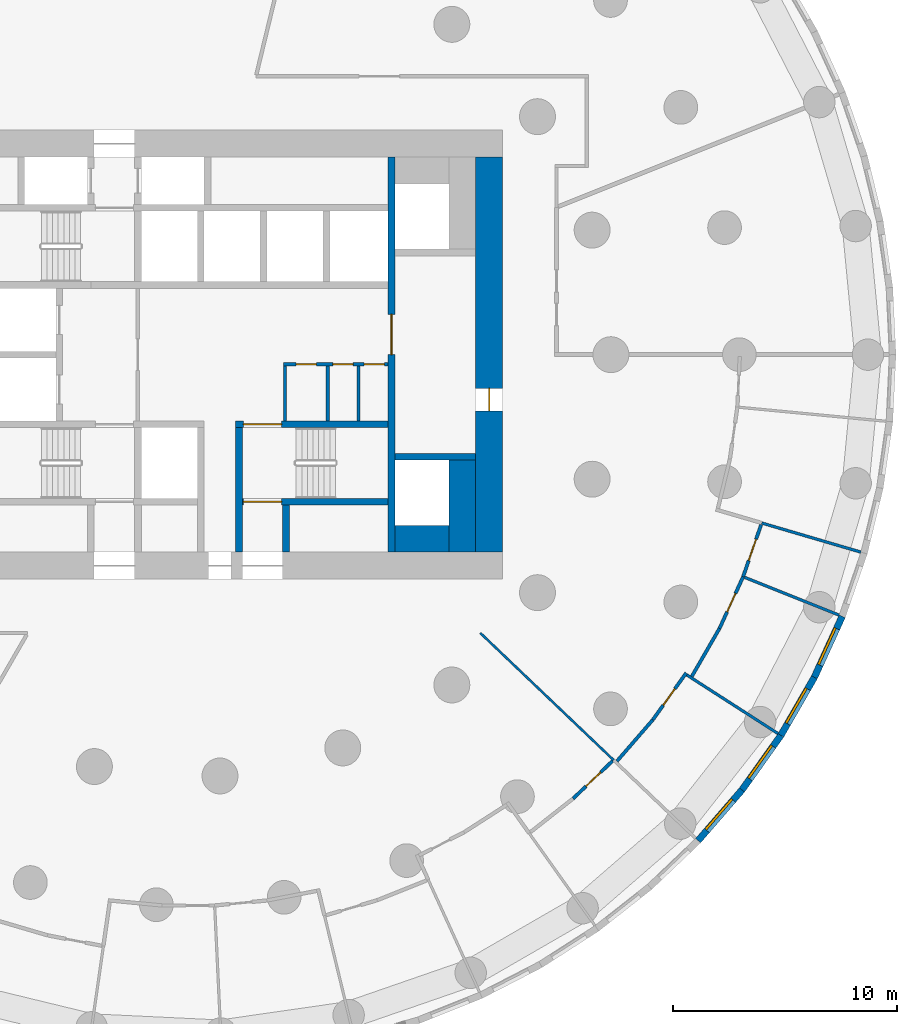
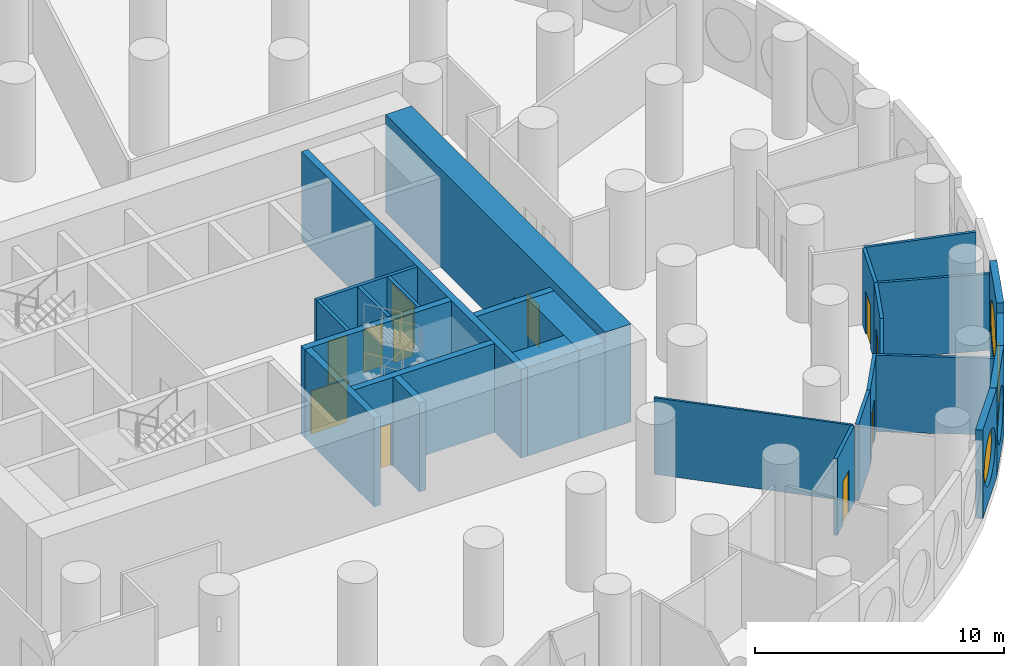
# One storey, part 5 of 11: 27 walls, 11 doors, 4 windows, 15 openings.
"""IFC4 building model written with IfcOpenShell, lengths in metres."""

from ifc_helpers import new_model, si_unit, direction, frame, frame_2d, origin, origin_2d, place, context, subcontext, project, spatial, rectangle, circle, extrude, material, layer, layer_set, type_object, element, fill, save


model = new_model("IFC4")

# Units and contexts
model_context = context("Model", 3, precision=1e-05, world=origin(), true_north=direction((0.0, 1.0)))
body_context = subcontext(model_context, "Body", "Model", "MODEL_VIEW")
ifc_project = project(units=[si_unit("LENGTHUNIT", "METRE"), si_unit("AREAUNIT", "SQUARE_METRE"), si_unit("VOLUMEUNIT", "CUBIC_METRE"), si_unit("PLANEANGLEUNIT", "RADIAN"), si_unit("MASSUNIT", "GRAM", prefix="KILO")], contexts=[model_context])

# Site, building, storey
site_placement = place(None, origin())
site = spatial("IfcSite", under=ifc_project, at=site_placement, CompositionType="ELEMENT")
building_placement = place(site_placement, origin())
building = spatial("IfcBuilding", under=site, at=building_placement, Name="Tracery Tower", CompositionType="ELEMENT")
storey_placement = place(building_placement, frame((0.0, 0.0, 23.39990234375)))
storey = spatial("IfcBuildingStorey", under=building, at=storey_placement, Name="L04", CompositionType="ELEMENT", Elevation=23.39990234375)

# Wall
ifc_material_1 = material(Name="Plasterboard on steel studs", Category="steel")
ifc_layer_1 = layer(ifc_material_1, 0.14990234375)
ifc_layer_set_1 = layer_set([ifc_layer_1], Name="Core room partition 150")
wall_type_1 = type_object("IfcWallType", Name="Core room partition 150", PredefinedType="SOLIDWALL", material=ifc_layer_set_1)
wall_1_placement = place(storey_placement, frame((4.300048828125, -2.949951171875, 0.0), z_axis=(0.0, 0.0, 1.0), x_axis=(0.0, 1.0, 0.0)))
element("IfcWall", 1, at=wall_1_placement, inside=storey, type_object=wall_type_1, Name="L04 slot W", PredefinedType="SOLIDWALL", context=body_context, shape_type="SweptSolid", body=[
    extrude(rectangle(XDim=2.449951171875, YDim=0.14990234375, at=frame_2d((1.22509765625, 0.0))), origin(), (0.0, 0.0, 1.0), 4.35009765625),
])

# Wall, openings, doors
wall_2_placement = place(storey_placement, frame((4.22509765625, -0.425048828125, 0.0), z_axis=(0.0, 0.0, 1.0), x_axis=(1.0, 0.0, 0.0)))
wall_2 = element("IfcWall", 2, at=wall_2_placement, inside=storey, type_object=wall_type_1, Name="L04 slot N", PredefinedType="SOLIDWALL", context=body_context, shape_type="SweptSolid", body=[
    extrude(rectangle(XDim=4.6748046875, YDim=0.14990234375, at=frame_2d((2.33740234375, 0.0))), origin(), (0.0, 0.0, 1.0), 4.35009765625),
])
opening_1_placement = place(wall_2_placement, frame((0.574951171875, 0.0, 0.0)))
opening_1 = element("IfcOpeningElement", 3, at=opening_1_placement, cuts=wall_2, Name="Opening KD22", PredefinedType="OPENING", context=body_context, shape_type="SweptSolid", body=[
    extrude(rectangle(XDim=0.89990234375, YDim=2.10009765625, at=frame_2d((0.449951171875, 1.050048828125))), frame((0.0, 0.074951171875, 0.0), z_axis=(0.0, -1.0, 0.0), x_axis=(1.0, 0.0, 0.0)), (0.0, 0.0, 1.0), 0.14990234375),
])
opening_2_placement = place(wall_2_placement, frame((2.21240234375, 0.0, 0.0)))
opening_2 = element("IfcOpeningElement", 4, at=opening_2_placement, cuts=wall_2, Name="Opening KD31", PredefinedType="OPENING", context=body_context, shape_type="SweptSolid", body=[
    extrude(rectangle(XDim=0.89990234375, YDim=2.10009765625, at=frame_2d((0.449951171875, 1.050048828125))), frame((0.0, 0.074951171875, 0.0), z_axis=(0.0, -1.0, 0.0), x_axis=(1.0, 0.0, 0.0)), (0.0, 0.0, 1.0), 0.14990234375),
])
opening_3_placement = place(wall_2_placement, frame((3.60009765625, 0.0, 0.0)))
opening_3 = element("IfcOpeningElement", 5, at=opening_3_placement, cuts=wall_2, Name="Opening KD27", PredefinedType="OPENING", context=body_context, shape_type="SweptSolid", body=[
    extrude(rectangle(XDim=0.89990234375, YDim=2.10009765625, at=frame_2d((0.449951171875, 1.050048828125))), frame((0.0, 0.074951171875, 0.0), z_axis=(0.0, -1.0, 0.0), x_axis=(1.0, 0.0, 0.0)), (0.0, 0.0, 1.0), 0.14990234375),
])
ifc_material_2 = material(Name="Timber door leaf", Category="wood")
door_type_1 = type_object("IfcDoorType", Name="Core WC door 900", OperationType="NOTDEFINED", PredefinedType="DOOR", material=ifc_material_2)
door_1_placement = place(opening_1_placement, origin())
door_1 = element("IfcDoor", 6, at=door_1_placement, inside=storey, type_object=door_type_1, Name="Core door", OperationType="SINGLE_SWING_RIGHT", OverallHeight=2.10009765625, OverallWidth=0.89990234375, PredefinedType="DOOR", context=body_context, shape_type="SweptSolid", body=[
    extrude(rectangle(XDim=0.89990234375, YDim=2.10009765625, at=frame_2d((0.449951171875, 1.050048828125))), frame((0.0, 0.02490234375, 0.0), z_axis=(0.0, -1.0, 0.0), x_axis=(1.0, 0.0, 0.0)), (0.0, 0.0, 1.0), 0.050048828125),
])
fill(opening_1, door_1)
ifc_material_3 = material(Name="Steel fire door", Category="steel")
door_type_2 = type_object("IfcDoorType", Name="Core riser door 900", OperationType="NOTDEFINED", PredefinedType="DOOR", material=ifc_material_3)
door_2_placement = place(opening_2_placement, origin())
door_2 = element("IfcDoor", 7, at=door_2_placement, inside=storey, type_object=door_type_2, Name="Core door", OperationType="SINGLE_SWING_LEFT", OverallHeight=2.10009765625, OverallWidth=0.89990234375, PredefinedType="DOOR", context=body_context, shape_type="SweptSolid", body=[
    extrude(rectangle(XDim=0.89990234375, YDim=2.10009765625, at=frame_2d((0.449951171875, 1.050048828125))), frame((0.0, 0.02490234375, 0.0), z_axis=(0.0, -1.0, 0.0), x_axis=(1.0, 0.0, 0.0)), (0.0, 0.0, 1.0), 0.050048828125),
])
fill(opening_2, door_2)
ifc_material_4 = material(Name="Timber door leaf", Category="wood")
door_type_3 = type_object("IfcDoorType", Name="Core store door 900", OperationType="NOTDEFINED", PredefinedType="DOOR", material=ifc_material_4)
door_3_placement = place(opening_3_placement, origin())
door_3 = element("IfcDoor", 8, at=door_3_placement, inside=storey, type_object=door_type_3, Name="Core door", OperationType="SINGLE_SWING_RIGHT", OverallHeight=2.10009765625, OverallWidth=0.89990234375, PredefinedType="DOOR", context=body_context, shape_type="SweptSolid", body=[
    extrude(rectangle(XDim=0.89990234375, YDim=2.10009765625, at=frame_2d((0.449951171875, 1.050048828125))), frame((0.0, 0.02490234375, 0.0), z_axis=(0.0, -1.0, 0.0), x_axis=(1.0, 0.0, 0.0)), (0.0, 0.0, 1.0), 0.050048828125),
])
fill(opening_3, door_3)

# Walls
for number, where, z_axis, x_axis, name in (
    (9, (6.199951171875, -2.949951171875, 0.0), (0.0, 0.0, 1.0), (0.0, 1.0, 0.0), "L04 slot sep 1"),
    (10, (7.574951171875, -2.949951171875, 0.0), (0.0, 0.0, 1.0), (0.0, 1.0, 0.0), "L04 slot sep 2"),
):
    element("IfcWall", number, at=place(storey_placement, frame(where, z_axis=z_axis, x_axis=x_axis)), inside=storey, type_object=wall_type_1, Name=name, PredefinedType="SOLIDWALL", context=body_context, shape_type="SweptSolid", body=[
        extrude(rectangle(XDim=2.449951171875, YDim=0.14990234375, at=frame_2d((1.22509765625, 0.0))), origin(), (0.0, 0.0, 1.0), 4.35009765625),
    ])
ifc_material_5 = material(Name="Concrete C60/75", Category="concrete")
ifc_layer_2 = layer(ifc_material_5, 1.199951171875)
ifc_layer_set_2 = layer_set([ifc_layer_2], Name="Core strip wall 1200 C60")
wall_type_2 = type_object("IfcWallType", Name="Core strip wall 1200 C60", PredefinedType="SOLIDWALL", material=ifc_layer_set_2)
wall_3_placement = place(storey_placement, frame((12.199951171875, -8.800048828125, 0.0), z_axis=(0.0, 0.0, 1.0), x_axis=(0.0, 1.0, 0.0)))
element("IfcWall", 11, at=wall_3_placement, inside=storey, type_object=wall_type_2, Name="L04 wing strip +1 -9.4", PredefinedType="SOLIDWALL", context=body_context, shape_type="SweptSolid", body=[
    extrude(rectangle(XDim=4.10009765625, YDim=1.199951171875, at=frame_2d((2.050048828125, 0.0))), origin(), (0.0, 0.0, 1.0), 4.35009765625),
])
wall_4_placement = place(storey_placement, frame((9.199951171875, -8.199951171875, 0.0), z_axis=(0.0, 0.0, 1.0), x_axis=(1.0, 0.0, 0.0)))
element("IfcWall", 12, at=wall_4_placement, inside=storey, type_object=wall_type_2, Name="L04 wing corner +1 -8.2", PredefinedType="SOLIDWALL", context=body_context, shape_type="SweptSolid", body=[
    extrude(rectangle(XDim=2.400146484375, YDim=1.199951171875, at=frame_2d((1.2001953125, 0.0))), origin(), (0.0, 0.0, 1.0), 4.35009765625),
])

# Wall, opening, door
ifc_material_6 = material(Name="Concrete C60/75", Category="concrete")
ifc_layer_3 = layer(ifc_material_6, 1.199951171875)
ifc_layer_set_3 = layer_set([ifc_layer_3], Name="Core wall 1200 C60")
wall_type_3 = type_object("IfcWallType", Name="Core wall 1200 C60", PredefinedType="SOLIDWALL", material=ifc_layer_set_3)
wall_5_placement = place(storey_placement, frame((13.39990234375, -8.800048828125, 0.0), z_axis=(0.0, 0.0, 1.0), x_axis=(0.0, 1.0, 0.0)))
wall_5 = element("IfcWall", 13, at=wall_5_placement, inside=storey, type_object=wall_type_3, Name="L04 outer E", PredefinedType="SOLIDWALL", context=body_context, shape_type="SweptSolid", body=[
    extrude(rectangle(XDim=17.60009765625, YDim=1.199951171875, at=frame_2d((8.800048828125, 0.0))), origin(), (0.0, 0.0, 1.0), 4.800048828125),
])
opening_4_placement = place(wall_5_placement, frame((6.300048828125, 0.0, 0.0)))
opening_4 = element("IfcOpeningElement", 14, at=opening_4_placement, cuts=wall_5, Name="Opening KD18", PredefinedType="OPENING", context=body_context, shape_type="SweptSolid", body=[
    extrude(rectangle(XDim=1.0, YDim=2.10009765625, at=frame_2d((0.5, 1.050048828125))), frame((0.0, 0.60009765625, 0.0), z_axis=(0.0, -1.0, 0.0), x_axis=(1.0, 0.0, 0.0)), (0.0, 0.0, 1.0), 1.199951171875),
])
ifc_material_7 = material(Name="Steel fire door", Category="steel")
door_type_4 = type_object("IfcDoorType", Name="Core exit door 1000", OperationType="NOTDEFINED", PredefinedType="DOOR", material=ifc_material_7)
door_4_placement = place(opening_4_placement, origin())
door_4 = element("IfcDoor", 15, at=door_4_placement, inside=storey, type_object=door_type_4, Name="Core exit door", OperationType="DOUBLE_DOOR_SINGLE_SWING", OverallHeight=2.10009765625, OverallWidth=1.0, PredefinedType="DOOR", context=body_context, shape_type="SweptSolid", body=[
    extrude(rectangle(XDim=1.0, YDim=2.10009765625, at=frame_2d((0.5, 1.050048828125))), frame((0.0, 0.02490234375, 0.0), z_axis=(0.0, -1.0, 0.0), x_axis=(1.0, 0.0, 0.0)), (0.0, 0.0, 1.0), 0.050048828125),
])
fill(opening_4, door_4)

ifc_material_8 = material(Name="Plasterboard on steel studs", Category="steel")
ifc_layer_4 = layer(ifc_material_8, 0.14990234375)
ifc_layer_set_4 = layer_set([ifc_layer_4], Name="Corridor partition 150")
wall_type_4 = type_object("IfcWallType", Name="Corridor partition 150", PredefinedType="PARTITIONING", material=ifc_layer_set_4)
wall_6_placement = place(storey_placement, frame((18.893798828125, -18.1015625, 0.0), z_axis=(0.0, 0.0, 1.0), x_axis=(-0.723750392948, -0.690061858609, 0.0)))
wall_6 = element("IfcWall", 16, at=wall_6_placement, inside=storey, type_object=wall_type_4, Name="Corridor partition 150", PredefinedType="PARTITIONING", context=body_context, shape_type="SweptSolid", body=[
    extrude(rectangle(XDim=2.427734375, YDim=0.14990234375, at=frame_2d((1.2138671875, 0.0))), origin(), (0.0, 0.0, 1.0), 3.75),
])
opening_5_placement = place(wall_6_placement, frame((0.732666015625, 0.0, 0.0)))
opening_5 = element("IfcOpeningElement", 17, at=opening_5_placement, cuts=wall_6, Name="Opening SB-L04-21", PredefinedType="OPENING", context=body_context, shape_type="SweptSolid", body=[
    extrude(rectangle(XDim=0.89990234375, YDim=2.10009765625, at=frame_2d((0.449951171875, 1.050048828125))), frame((0.0, 0.074951171875, 0.0), z_axis=(0.0, -1.0, 0.0), x_axis=(1.0, 0.0, 0.0)), (0.0, 0.0, 1.0), 0.14990234375),
])
ifc_material_9 = material(Name="Timber door leaf", Category="wood")
door_type_5 = type_object("IfcDoorType", Name="Room door 900", OperationType="NOTDEFINED", PredefinedType="DOOR", material=ifc_material_9)
door_5_placement = place(opening_5_placement, origin())
door_5 = element("IfcDoor", 18, at=door_5_placement, inside=storey, type_object=door_type_5, Name="Room door 900", OperationType="SINGLE_SWING_RIGHT", OverallHeight=2.10009765625, OverallWidth=0.89990234375, PredefinedType="DOOR", context=body_context, shape_type="SweptSolid", body=[
    extrude(rectangle(XDim=0.89990234375, YDim=2.10009765625, at=frame_2d((0.449951171875, 1.050048828125))), frame((0.0, 0.02490234375, 0.0), z_axis=(0.0, -1.0, 0.0), x_axis=(1.0, 0.0, 0.0)), (0.0, 0.0, 1.0), 0.050048828125),
])
fill(opening_5, door_5)

# Wall
wall_7_placement = place(storey_placement, frame((19.08984375, -18.11328125, 0.0), z_axis=(0.0, 0.0, 1.0), x_axis=(0.654884832062, 0.755728692545, 0.0)))
element("IfcWall", 19, at=wall_7_placement, inside=storey, type_object=wall_type_4, Name="Corridor partition 150", PredefinedType="PARTITIONING", context=body_context, shape_type="SweptSolid", body=[
    extrude(rectangle(XDim=2.4404296875, YDim=0.14990234375, at=frame_2d((1.22021484375, 0.0))), origin(), (0.0, 0.0, 1.0), 3.75),
])

# Wall, opening, door
wall_8_placement = place(storey_placement, frame((22.177001953125, -14.177978515625, 0.0), z_axis=(0.0, 0.0, 1.0), x_axis=(-0.580050037968, -0.814580845253, 0.0)))
wall_8 = element("IfcWall", 20, at=wall_8_placement, inside=storey, type_object=wall_type_4, Name="Corridor partition 150", PredefinedType="PARTITIONING", context=body_context, shape_type="SweptSolid", body=[
    extrude(rectangle(XDim=2.567138671875, YDim=0.14990234375, at=frame_2d((1.28369140625, 0.0))), origin(), (0.0, 0.0, 1.0), 3.75),
])
opening_6_placement = place(wall_8_placement, frame((0.86474609375, 0.0, 0.0)))
opening_6 = element("IfcOpeningElement", 21, at=opening_6_placement, cuts=wall_8, Name="Opening SB-L04-22", PredefinedType="OPENING", context=body_context, shape_type="SweptSolid", body=[
    extrude(rectangle(XDim=0.89990234375, YDim=2.10009765625, at=frame_2d((0.449951171875, 1.050048828125))), frame((0.0, 0.074951171875, 0.0), z_axis=(0.0, -1.0, 0.0), x_axis=(1.0, 0.0, 0.0)), (0.0, 0.0, 1.0), 0.14990234375),
])
ifc_material_10 = material(Name="Timber door leaf", Category="wood")
door_type_6 = type_object("IfcDoorType", Name="Toilet door 900", OperationType="NOTDEFINED", PredefinedType="DOOR", material=ifc_material_10)
door_6_placement = place(opening_6_placement, origin())
door_6 = element("IfcDoor", 22, at=door_6_placement, inside=storey, type_object=door_type_6, Name="Toilet door 900", OperationType="SINGLE_SWING_RIGHT", OverallHeight=2.10009765625, OverallWidth=0.89990234375, PredefinedType="DOOR", context=body_context, shape_type="SweptSolid", body=[
    extrude(rectangle(XDim=0.89990234375, YDim=2.10009765625, at=frame_2d((0.449951171875, 1.050048828125))), frame((0.0, 0.02490234375, 0.0), z_axis=(0.0, -1.0, 0.0), x_axis=(1.0, 0.0, 0.0)), (0.0, 0.0, 1.0), 0.050048828125),
])
fill(opening_6, door_6)

# Wall
wall_9_placement = place(storey_placement, frame((22.425537109375, -14.335693359375, 0.0), z_axis=(0.0, 0.0, 1.0), x_axis=(0.499967837645, 0.866043971933, 0.0)))
element("IfcWall", 23, at=wall_9_placement, inside=storey, type_object=wall_type_4, Name="Corridor partition 150", PredefinedType="PARTITIONING", context=body_context, shape_type="SweptSolid", body=[
    extrude(rectangle(XDim=2.468994140625, YDim=0.14990234375, at=frame_2d((1.234375, 0.0))), origin(), (0.0, 0.0, 1.0), 3.75),
])

# Wall, opening, door
wall_10_placement = place(storey_placement, frame((24.71240234375, -9.893310546875, 0.0), z_axis=(0.0, 0.0, 1.0), x_axis=(-0.415479591096, -0.909602500757, 0.0)))
wall_10 = element("IfcWall", 24, at=wall_10_placement, inside=storey, type_object=wall_type_4, Name="Corridor partition 150", PredefinedType="PARTITIONING", context=body_context, shape_type="SweptSolid", body=[
    extrude(rectangle(XDim=2.533203125, YDim=0.14990234375, at=frame_2d((1.2666015625, 0.0))), origin(), (0.0, 0.0, 1.0), 3.75),
])
opening_7_placement = place(wall_10_placement, frame((0.816650390625, 0.0, 0.0)))
opening_7 = element("IfcOpeningElement", 25, at=opening_7_placement, cuts=wall_10, Name="Opening SB-L04-23", PredefinedType="OPENING", context=body_context, shape_type="SweptSolid", body=[
    extrude(rectangle(XDim=0.89990234375, YDim=2.10009765625, at=frame_2d((0.449951171875, 1.050048828125))), frame((0.0, 0.074951171875, 0.0), z_axis=(0.0, -1.0, 0.0), x_axis=(1.0, 0.0, 0.0)), (0.0, 0.0, 1.0), 0.14990234375),
])
door_7_placement = place(opening_7_placement, origin())
door_7 = element("IfcDoor", 26, at=door_7_placement, inside=storey, type_object=door_type_6, Name="Toilet door 900", OperationType="SINGLE_SWING_RIGHT", OverallHeight=2.10009765625, OverallWidth=0.89990234375, PredefinedType="DOOR", context=body_context, shape_type="SweptSolid", body=[
    extrude(rectangle(XDim=0.89990234375, YDim=2.10009765625, at=frame_2d((0.449951171875, 1.050048828125))), frame((0.0, 0.02490234375, 0.0), z_axis=(0.0, -1.0, 0.0), x_axis=(1.0, 0.0, 0.0)), (0.0, 0.0, 1.0), 0.050048828125),
])
fill(opening_7, door_7)

wall_11_placement = place(storey_placement, frame((25.51611328125, -7.570556640625, 0.0), z_axis=(0.0, 0.0, 1.0), x_axis=(-0.326994566999, -0.945026218236, 0.0)))
wall_11 = element("IfcWall", 27, at=wall_11_placement, inside=storey, type_object=wall_type_4, Name="Corridor partition 150", PredefinedType="PARTITIONING", context=body_context, shape_type="SweptSolid", body=[
    extrude(rectangle(XDim=2.457763671875, YDim=0.14990234375, at=frame_2d((1.22900390625, 0.0))), origin(), (0.0, 0.0, 1.0), 3.75),
])
opening_8_placement = place(wall_11_placement, frame((0.69140625, 0.0, 0.0)))
opening_8 = element("IfcOpeningElement", 28, at=opening_8_placement, cuts=wall_11, Name="Opening SB-L04-24", PredefinedType="OPENING", context=body_context, shape_type="SweptSolid", body=[
    extrude(rectangle(XDim=1.0, YDim=2.10009765625, at=frame_2d((0.5, 1.050048828125))), frame((0.0, 0.074951171875, 0.0), z_axis=(0.0, -1.0, 0.0), x_axis=(1.0, 0.0, 0.0)), (0.0, 0.0, 1.0), 0.14990234375),
])
ifc_material_11 = material(Name="Timber door leaf", Category="wood")
door_type_7 = type_object("IfcDoorType", Name="Accessible toilet door 1000", OperationType="NOTDEFINED", PredefinedType="DOOR", material=ifc_material_11)
door_8_placement = place(opening_8_placement, origin())
door_8 = element("IfcDoor", 29, at=door_8_placement, inside=storey, type_object=door_type_7, Name="Accessible toilet door 1000", OperationType="SINGLE_SWING_RIGHT", OverallHeight=2.10009765625, OverallWidth=1.0, PredefinedType="DOOR", context=body_context, shape_type="SweptSolid", body=[
    extrude(rectangle(XDim=1.0, YDim=2.10009765625, at=frame_2d((0.5, 1.050048828125))), frame((0.0, 0.02490234375, 0.0), z_axis=(0.0, -1.0, 0.0), x_axis=(1.0, 0.0, 0.0)), (0.0, 0.0, 1.0), 0.050048828125),
])
fill(opening_8, door_8)

# Wall, opening, window
ifc_material_12 = material(Name="Precast concrete C50/60", Category="concrete")
ifc_layer_5 = layer(ifc_material_12, 0.300048828125)
ifc_layer_set_5 = layer_set([ifc_layer_5], Name="Facade panel 3000 x 3850")
wall_type_5 = type_object("IfcWallType", Name="Facade panel 3000 x 3850", PredefinedType="SOLIDWALL", material=ifc_layer_set_5)
wall_12_placement = place(storey_placement, frame((26.393798828125, -16.96240234375, 0.0), z_axis=(0.0, 0.0, 1.0), x_axis=(0.500017373705, 0.866015372839, 0.0)))
wall_12 = element("IfcWall", 30, at=wall_12_placement, inside=storey, type_object=wall_type_5, Name="Facade panel 61 at L04", PredefinedType="SOLIDWALL", context=body_context, shape_type="SweptSolid", body=[
    extrude(rectangle(XDim=2.98583984375, YDim=0.300048828125, at=frame_2d((1.492919921875, 0.0))), origin(), (0.0, 0.0, 1.0), 3.85009765625),
])
opening_9_placement = place(wall_12_placement, frame((1.492919921875, 0.0, 2.0)))
opening_9 = element("IfcOpeningElement", 31, at=opening_9_placement, cuts=wall_12, Name="Opening WN2", PredefinedType="OPENING", context=body_context, shape_type="SweptSolid", body=[
    extrude(circle(Radius=1.199951171875, at=origin_2d()), frame((0.0, 0.159912109375, 0.0), z_axis=(0.0, -1.0, 0.0), x_axis=(1.0, 0.0, 0.0)), (0.0, 0.0, 1.0), 0.320068359375),
])
ifc_material_13 = material(Name="Aluminium frame with tinted double glazing", Category="aluminium")
window_type = type_object("IfcWindowType", Name="Round window 2400", PartitioningType="SINGLE_PANEL", PredefinedType="WINDOW", material=ifc_material_13)
window_1_placement = place(opening_9_placement, origin())
window_1 = element("IfcWindow", 32, at=window_1_placement, inside=storey, type_object=window_type, Name="Round window 61 at L04", OverallHeight=2.39990234375, OverallWidth=2.39990234375, PartitioningType="SINGLE_PANEL", PredefinedType="WINDOW", context=body_context, shape_type="SweptSolid", body=[
    extrude(circle(Radius=1.199951171875, at=origin_2d()), frame((0.0, 0.1201171875, 0.0), z_axis=(0.0, -1.0, 0.0), x_axis=(1.0, 0.0, 0.0)), (0.0, 0.0, 1.0), 0.10009765625),
])
fill(opening_9, window_1)

ifc_material_14 = material(Name="Precast concrete C50/60", Category="concrete")
ifc_layer_6 = layer(ifc_material_14, 0.300048828125)
ifc_layer_set_6 = layer_set([ifc_layer_6], Name="Facade panel 3000 x 4350")
wall_type_6 = type_object("IfcWallType", Name="Facade panel 3000 x 4350", PredefinedType="SOLIDWALL", material=ifc_layer_set_6)
wall_13_placement = place(storey_placement, frame((22.706787109375, -21.65087890625, 0.0), z_axis=(0.0, 0.0, 1.0), x_axis=(0.654809121128, 0.755794294029, 0.0)))
wall_13 = element("IfcWall", 33, at=wall_13_placement, inside=storey, type_object=wall_type_6, Name="Facade panel 59 at L04", PredefinedType="SOLIDWALL", context=body_context, shape_type="SweptSolid", body=[
    extrude(rectangle(XDim=2.98583984375, YDim=0.300048828125, at=frame_2d((1.492919921875, 0.0))), origin(), (0.0, 0.0, 1.0), 4.35009765625),
])
opening_10_placement = place(wall_13_placement, frame((1.492919921875, 0.0, 2.0)))
opening_10 = element("IfcOpeningElement", 34, at=opening_10_placement, cuts=wall_13, Name="Opening WN2", PredefinedType="OPENING", context=body_context, shape_type="SweptSolid", body=[
    extrude(circle(Radius=1.199951171875, at=origin_2d()), frame((0.0, 0.159912109375, 0.0), z_axis=(0.0, -1.0, 0.0), x_axis=(1.0, 0.0, 0.0)), (0.0, 0.0, 1.0), 0.320068359375),
])
window_2_placement = place(opening_10_placement, origin())
window_2 = element("IfcWindow", 35, at=window_2_placement, inside=storey, type_object=window_type, Name="Round window 59 at L04", OverallHeight=2.39990234375, OverallWidth=2.39990234375, PartitioningType="SINGLE_PANEL", PredefinedType="WINDOW", context=body_context, shape_type="SweptSolid", body=[
    extrude(circle(Radius=1.199951171875, at=origin_2d()), frame((0.0, 0.1201171875, 0.0), z_axis=(0.0, -1.0, 0.0), x_axis=(1.0, 0.0, 0.0)), (0.0, 0.0, 1.0), 0.10009765625),
])
fill(opening_10, window_2)

wall_14_placement = place(storey_placement, frame((24.661865234375, -19.394287109375, 0.0), z_axis=(0.0, 0.0, 1.0), x_axis=(0.580100533892, 0.814544885551, 0.0)))
wall_14 = element("IfcWall", 36, at=wall_14_placement, inside=storey, type_object=wall_type_6, Name="Facade panel 60 at L04", PredefinedType="SOLIDWALL", context=body_context, shape_type="SweptSolid", body=[
    extrude(rectangle(XDim=2.985595703125, YDim=0.300048828125, at=frame_2d((1.49267578125, 0.0))), origin(), (0.0, 0.0, 1.0), 4.35009765625),
])
opening_11_placement = place(wall_14_placement, frame((1.492919921875, 0.0, 2.0)))
opening_11 = element("IfcOpeningElement", 37, at=opening_11_placement, cuts=wall_14, Name="Opening WN2", PredefinedType="OPENING", context=body_context, shape_type="SweptSolid", body=[
    extrude(circle(Radius=1.199951171875, at=origin_2d()), frame((0.0, 0.159912109375, 0.0), z_axis=(0.0, -1.0, 0.0), x_axis=(1.0, 0.0, 0.0)), (0.0, 0.0, 1.0), 0.320068359375),
])
window_3_placement = place(opening_11_placement, origin())
window_3 = element("IfcWindow", 38, at=window_3_placement, inside=storey, type_object=window_type, Name="Round window 60 at L04", OverallHeight=2.39990234375, OverallWidth=2.39990234375, PartitioningType="SINGLE_PANEL", PredefinedType="WINDOW", context=body_context, shape_type="SweptSolid", body=[
    extrude(circle(Radius=1.199951171875, at=origin_2d()), frame((0.0, 0.1201171875, 0.0), z_axis=(0.0, -1.0, 0.0), x_axis=(1.0, 0.0, 0.0)), (0.0, 0.0, 1.0), 0.10009765625),
])
fill(opening_11, window_3)

wall_15_placement = place(storey_placement, frame((27.88671875, -14.376708984375, 0.0), z_axis=(0.0, 0.0, 1.0), x_axis=(0.415373250944, 0.909651066289, 0.0)))
wall_15 = element("IfcWall", 39, at=wall_15_placement, inside=storey, type_object=wall_type_6, Name="Facade panel 62 at L04", PredefinedType="SOLIDWALL", context=body_context, shape_type="SweptSolid", body=[
    extrude(rectangle(XDim=2.98583984375, YDim=0.300048828125, at=frame_2d((1.492919921875, 0.0))), origin(), (0.0, 0.0, 1.0), 4.35009765625),
])
opening_12_placement = place(wall_15_placement, frame((1.492919921875, 0.0, 2.0)))
opening_12 = element("IfcOpeningElement", 40, at=opening_12_placement, cuts=wall_15, Name="Opening WN2", PredefinedType="OPENING", context=body_context, shape_type="SweptSolid", body=[
    extrude(circle(Radius=1.199951171875, at=origin_2d()), frame((0.0, 0.159912109375, 0.0), z_axis=(0.0, -1.0, 0.0), x_axis=(1.0, 0.0, 0.0)), (0.0, 0.0, 1.0), 0.320068359375),
])
window_4_placement = place(opening_12_placement, origin())
window_4 = element("IfcWindow", 41, at=window_4_placement, inside=storey, type_object=window_type, Name="Round window 62 at L04", OverallHeight=2.39990234375, OverallWidth=2.39990234375, PartitioningType="SINGLE_PANEL", PredefinedType="WINDOW", context=body_context, shape_type="SweptSolid", body=[
    extrude(circle(Radius=1.199951171875, at=origin_2d()), frame((0.0, 0.1201171875, 0.0), z_axis=(0.0, -1.0, 0.0), x_axis=(1.0, 0.0, 0.0)), (0.0, 0.0, 1.0), 0.10009765625),
])
fill(opening_12, window_4)

# Walls
ifc_material_15 = material(Name="Concrete C60/75", Category="concrete")
ifc_layer_7 = layer(ifc_material_15, 0.300048828125)
ifc_layer_set_7 = layer_set([ifc_layer_7], Name="Shaft wall 300 C60")
wall_type_7 = type_object("IfcWallType", Name="Shaft wall 300 C60", PredefinedType="SOLIDWALL", material=ifc_layer_set_7)
wall_16_placement = place(storey_placement, frame((4.35009765625, -8.800048828125, 0.0), z_axis=(0.0, 0.0, 1.0), x_axis=(0.0, 1.0, 0.0)))
element("IfcWall", 42, at=wall_16_placement, inside=storey, type_object=wall_type_7, Name="L04 band S +4.35", PredefinedType="SOLIDWALL", context=body_context, shape_type="SweptSolid", body=[
    extrude(rectangle(XDim=2.10009765625, YDim=0.300048828125, at=frame_2d((1.050048828125, 0.0))), origin(), (0.0, 0.0, 1.0), 4.35009765625),
])
wall_17_placement = place(storey_placement, frame((9.199951171875, -4.550048828125, 0.0), z_axis=(0.0, 0.0, 1.0), x_axis=(1.0, 0.0, 0.0)))
element("IfcWall", 43, at=wall_17_placement, inside=storey, type_object=wall_type_7, Name="L04 wing shaft wall +1 -4.55", PredefinedType="SOLIDWALL", context=body_context, shape_type="SweptSolid", body=[
    extrude(rectangle(XDim=3.60009765625, YDim=0.300048828125, at=frame_2d((1.800048828125, 0.0))), origin(), (0.0, 0.0, 1.0), 4.35009765625),
])

# Wall, opening, door
ifc_material_16 = material(Name="Concrete C60/75", Category="concrete")
ifc_layer_8 = layer(ifc_material_16, 0.300048828125)
ifc_layer_set_8 = layer_set([ifc_layer_8], Name="Stair wall 300 C60")
wall_type_8 = type_object("IfcWallType", Name="Stair wall 300 C60", PredefinedType="SOLIDWALL", material=ifc_layer_set_8)
wall_18_placement = place(storey_placement, frame((2.10009765625, -3.10009765625, 0.0), z_axis=(0.0, 0.0, 1.0), x_axis=(1.0, 0.0, 0.0)))
wall_18 = element("IfcWall", 44, at=wall_18_placement, inside=storey, type_object=wall_type_8, Name="L04 row S E", PredefinedType="SOLIDWALL", context=body_context, shape_type="SweptSolid", body=[
    extrude(rectangle(XDim=6.7998046875, YDim=0.300048828125, at=frame_2d((3.39990234375, 0.0))), origin(), (0.0, 0.0, 1.0), 4.35009765625),
])
opening_13_placement = place(wall_18_placement, frame((0.35009765625, 0.0, 0.0)))
opening_13 = element("IfcOpeningElement", 45, at=opening_13_placement, cuts=wall_18, Name="Opening KD3", PredefinedType="OPENING", context=body_context, shape_type="SweptSolid", body=[
    extrude(rectangle(XDim=1.699951171875, YDim=2.10009765625, at=frame_2d((0.85009765625, 1.050048828125))), frame((0.0, 0.14990234375, 0.0), z_axis=(0.0, -1.0, 0.0), x_axis=(1.0, 0.0, 0.0)), (0.0, 0.0, 1.0), 0.300048828125),
])
ifc_material_17 = material(Name="Steel fire door", Category="steel")
door_type_8 = type_object("IfcDoorType", Name="Core stair door 1700 double", OperationType="NOTDEFINED", PredefinedType="DOOR", material=ifc_material_17)
door_9_placement = place(opening_13_placement, origin())
door_9 = element("IfcDoor", 46, at=door_9_placement, inside=storey, type_object=door_type_8, Name="Stair door ST2", OperationType="DOUBLE_DOOR_SINGLE_SWING", OverallHeight=2.10009765625, OverallWidth=1.699951171875, PredefinedType="DOOR", context=body_context, shape_type="SweptSolid", body=[
    extrude(rectangle(XDim=1.699951171875, YDim=2.10009765625, at=frame_2d((0.85009765625, 1.050048828125))), frame((0.0, 0.02490234375, 0.0), z_axis=(0.0, -1.0, 0.0), x_axis=(1.0, 0.0, 0.0)), (0.0, 0.0, 1.0), 0.050048828125),
])
fill(opening_13, door_9)

# Wall
wall_19_placement = place(storey_placement, frame((2.25, -8.800048828125, 0.0), z_axis=(0.0, 0.0, 1.0), x_axis=(0.0, 1.0, 0.0)))
element("IfcWall", 47, at=wall_19_placement, inside=storey, type_object=wall_type_8, Name="L04 ST2 W", PredefinedType="SOLIDWALL", context=body_context, shape_type="SweptSolid", body=[
    extrude(rectangle(XDim=5.550048828125, YDim=0.300048828125, at=frame_2d((2.77490234375, 0.0))), origin(), (0.0, 0.0, 1.0), 4.35009765625),
])

# Wall, opening, door
wall_20_placement = place(storey_placement, frame((9.050048828125, -8.800048828125, 0.0), z_axis=(0.0, 0.0, 1.0), x_axis=(0.0, 1.0, 0.0)))
wall_20 = element("IfcWall", 48, at=wall_20_placement, inside=storey, type_object=wall_type_8, Name="L04 F wall +9", PredefinedType="SOLIDWALL", context=body_context, shape_type="SweptSolid", body=[
    extrude(rectangle(XDim=17.60009765625, YDim=0.300048828125, at=frame_2d((8.800048828125, 0.0))), origin(), (0.0, 0.0, 1.0), 4.35009765625),
])
opening_14_placement = place(wall_20_placement, frame((8.800048828125, 0.0, 0.0)))
opening_14 = element("IfcOpeningElement", 49, at=opening_14_placement, cuts=wall_20, Name="Opening KD13", PredefinedType="OPENING", context=body_context, shape_type="SweptSolid", body=[
    extrude(rectangle(XDim=1.800048828125, YDim=2.10009765625, at=frame_2d((0.89990234375, 1.050048828125))), frame((0.0, 0.14990234375, 0.0), z_axis=(0.0, -1.0, 0.0), x_axis=(1.0, 0.0, 0.0)), (0.0, 0.0, 1.0), 0.300048828125),
])
ifc_material_18 = material(Name="Steel fire door", Category="steel")
door_type_9 = type_object("IfcDoorType", Name="Core exit door 1800 double", OperationType="NOTDEFINED", PredefinedType="DOOR", material=ifc_material_18)
door_10_placement = place(opening_14_placement, origin())
door_10 = element("IfcDoor", 50, at=door_10_placement, inside=storey, type_object=door_type_9, Name="Core exit door", OperationType="DOUBLE_DOOR_SINGLE_SWING", OverallHeight=2.10009765625, OverallWidth=1.800048828125, PredefinedType="DOOR", context=body_context, shape_type="SweptSolid", body=[
    extrude(rectangle(XDim=1.800048828125, YDim=2.10009765625, at=frame_2d((0.89990234375, 1.050048828125))), frame((0.0, 0.02490234375, 0.0), z_axis=(0.0, -1.0, 0.0), x_axis=(1.0, 0.0, 0.0)), (0.0, 0.0, 1.0), 0.050048828125),
])
fill(opening_14, door_10)

wall_21_placement = place(storey_placement, frame((2.39990234375, -6.550048828125, 0.0), z_axis=(0.0, 0.0, 1.0), x_axis=(1.0, 0.0, 0.0)))
wall_21 = element("IfcWall", 51, at=wall_21_placement, inside=storey, type_object=wall_type_8, Name="L04 F S E", PredefinedType="SOLIDWALL", context=body_context, shape_type="SweptSolid", body=[
    extrude(rectangle(XDim=6.5, YDim=0.300048828125, at=frame_2d((3.25, 0.0))), origin(), (0.0, 0.0, 1.0), 4.35009765625),
])
opening_15_placement = place(wall_21_placement, frame((0.050048828125, 0.0, 0.0)))
opening_15 = element("IfcOpeningElement", 52, at=opening_15_placement, cuts=wall_21, Name="Opening KD3", PredefinedType="OPENING", context=body_context, shape_type="SweptSolid", body=[
    extrude(rectangle(XDim=1.699951171875, YDim=2.10009765625, at=frame_2d((0.85009765625, 1.050048828125))), frame((0.0, 0.14990234375, 0.0), z_axis=(0.0, -1.0, 0.0), x_axis=(1.0, 0.0, 0.0)), (0.0, 0.0, 1.0), 0.300048828125),
])
door_11_placement = place(opening_15_placement, origin())
door_11 = element("IfcDoor", 53, at=door_11_placement, inside=storey, type_object=door_type_8, Name="Stair door ST2 S", OperationType="DOUBLE_DOOR_SINGLE_SWING", OverallHeight=2.10009765625, OverallWidth=1.699951171875, PredefinedType="DOOR", context=body_context, shape_type="SweptSolid", body=[
    extrude(rectangle(XDim=1.699951171875, YDim=2.10009765625, at=frame_2d((0.85009765625, 1.050048828125))), frame((0.0, 0.02490234375, 0.0), z_axis=(0.0, -1.0, 0.0), x_axis=(1.0, 0.0, 0.0)), (0.0, 0.0, 1.0), 0.050048828125),
])
fill(opening_15, door_11)

# Walls
ifc_material_19 = material(Name="Plasterboard on steel studs", Category="steel")
ifc_layer_9 = layer(ifc_material_19, 0.10009765625)
ifc_layer_set_9 = layer_set([ifc_layer_9], Name="Stud partition 100")
wall_type_9 = type_object("IfcWallType", Name="Stud partition 100", PredefinedType="PARTITIONING", material=ifc_layer_set_9)
wall_22_placement = place(storey_placement, frame((18.939208984375, -18.058349609375, 0.0), z_axis=(0.0, 0.0, 1.0), x_axis=(-0.723743423805, 0.690069167909, 0.0)))
element("IfcWall", 54, at=wall_22_placement, inside=storey, type_object=wall_type_9, Name="Stud partition 100", PredefinedType="PARTITIONING", context=body_context, shape_type="SweptSolid", body=[
    extrude(rectangle(XDim=8.19970703125, YDim=0.10009765625, at=frame_2d((4.099853515625, 0.0))), origin(), (0.0, 0.0, 1.0), 3.75),
])
ifc_material_20 = material(Name="Plasterboard on steel studs", Category="steel")
ifc_layer_10 = layer(ifc_material_20, 0.125)
ifc_layer_set_10 = layer_set([ifc_layer_10], Name="Wet area partition 125")
wall_type_10 = type_object("IfcWallType", Name="Wet area partition 125", PredefinedType="PARTITIONING", material=ifc_layer_set_10)
wall_23_placement = place(storey_placement, frame((26.267578125, -16.881103515625, 0.0), z_axis=(0.0, 0.0, 1.0), x_axis=(-0.841255646812, 0.540637528023, 0.0)))
element("IfcWall", 55, at=wall_23_placement, inside=storey, type_object=wall_type_10, Name="Wet area partition 125", PredefinedType="PARTITIONING", context=body_context, shape_type="SweptSolid", body=[
    extrude(rectangle(XDim=4.83056640625, YDim=0.125, at=frame_2d((2.415283203125, 0.0))), origin(), (0.0, 0.0, 1.0), 3.75),
])
wall_24_placement = place(storey_placement, frame((28.987548828125, -11.60498046875, 0.0), z_axis=(0.0, 0.0, 1.0), x_axis=(-0.928353988121, 0.371697286431, 0.0)))
element("IfcWall", 56, at=wall_24_placement, inside=storey, type_object=wall_type_10, Name="Wet area partition 125", PredefinedType="PARTITIONING", context=body_context, shape_type="SweptSolid", body=[
    extrude(rectangle(XDim=4.530029296875, YDim=0.125, at=frame_2d((2.26513671875, 0.0))), origin(), (0.0, 0.0, 1.0), 3.75),
])
wall_25_placement = place(storey_placement, frame((29.95947265625, -8.796875, 0.0), z_axis=(0.0, 0.0, 1.0), x_axis=(-0.959497930404, 0.281715675019, 0.0)))
element("IfcWall", 57, at=wall_25_placement, inside=storey, type_object=wall_type_10, Name="Wet area partition 125", PredefinedType="PARTITIONING", context=body_context, shape_type="SweptSolid", body=[
    extrude(rectangle(XDim=4.605224609375, YDim=0.125, at=frame_2d((2.302734375, 0.0))), origin(), (0.0, 0.0, 1.0), 3.75),
])

save(model, "model.ifc")
